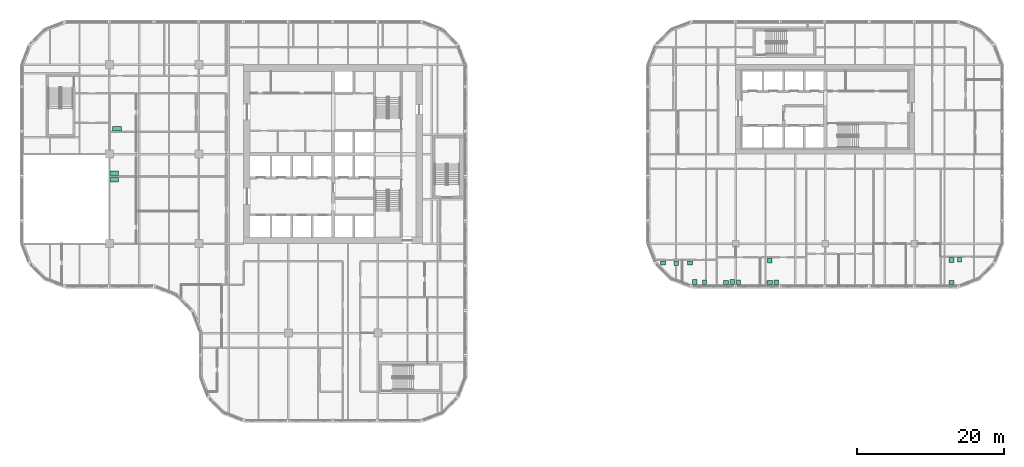
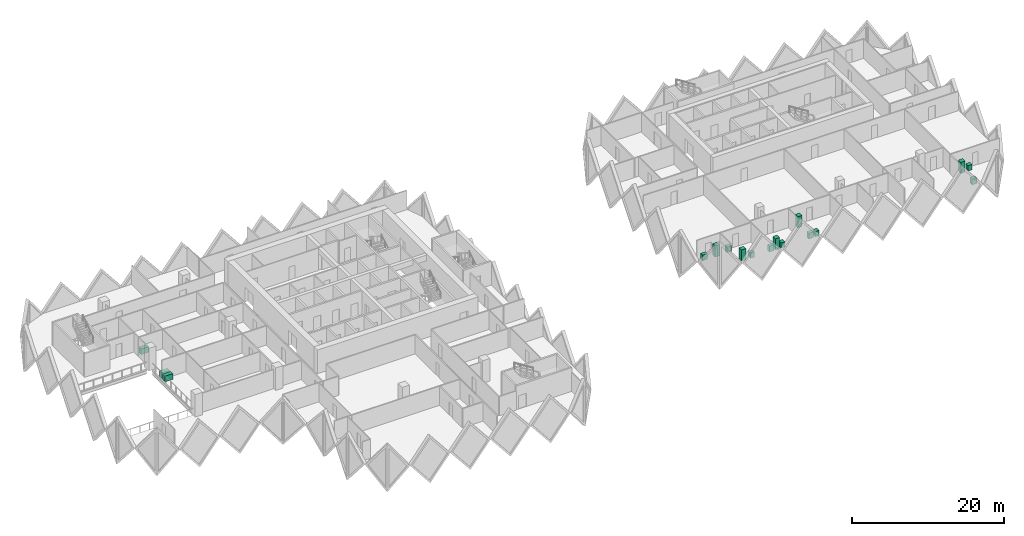
# One storey, part 20 of 20: 9 electric appliances, 8 sanitary terminals.
"""IFC4 building model written with IfcOpenShell, lengths in metres."""

from ifc_helpers import new_model, si_unit, direction, frame, origin, origin_2d, place, context, subcontext, project, spatial, rectangle, extrude, material, type_object, element, save


model = new_model("IFC4")

# Units and contexts
model_context = context("Model", 3, precision=1e-05, world=origin(), true_north=direction((0.0, 1.0)))
body_context = subcontext(model_context, "Body", "Model", "MODEL_VIEW")
ifc_project = project(units=[si_unit("LENGTHUNIT", "METRE"), si_unit("AREAUNIT", "SQUARE_METRE"), si_unit("VOLUMEUNIT", "CUBIC_METRE"), si_unit("PLANEANGLEUNIT", "RADIAN"), si_unit("MASSUNIT", "GRAM", prefix="KILO")], contexts=[model_context])

# Site, building, storey
site_placement = place(None, origin())
site = spatial("IfcSite", under=ifc_project, at=site_placement, CompositionType="ELEMENT")
building_placement = place(site_placement, origin())
building = spatial("IfcBuilding", under=site, at=building_placement, Name="Tessera Gate Towers", CompositionType="ELEMENT")
storey_placement = place(building_placement, frame((0.0, 0.0, 52.39990234375)))
storey = spatial("IfcBuildingStorey", under=building, at=storey_placement, Name="L12", CompositionType="ELEMENT", Elevation=52.39990234375)

# Electric appliances
ifc_material_1 = material(Name="Enamelled steel", Category="steel")
electric_appliance_type_1 = type_object("IfcElectricApplianceType", Name="DISHWASHER 600x600", PredefinedType="DISHWASHER", material=ifc_material_1)
for number, where, z_axis, x_axis, name in (
    (1, (93.35693359375, 19.14990234375, 0.0), (0.0, 0.0, 1.0), (1.0, 0.0, 0.0), "Dishwasher"),
    (2, (97.9970703125, 19.14990234375, 0.0), (0.0, 0.0, 1.0), (1.0, 0.0, 0.0), "Dishwasher"),
    (3, (103.162109375, 19.14990234375, 0.0), (0.0, 0.0, 1.0), (1.0, 0.0, 0.0), "Dishwasher"),
    (4, (128.133056640625, 22.199951171875, 0.0), (0.0, 0.0, 1.0), (1.0, 0.0, 0.0), "Dishwasher"),
):
    element("IfcElectricAppliance", number, at=place(storey_placement, frame(where, z_axis=z_axis, x_axis=x_axis)), inside=storey, type_object=electric_appliance_type_1, Name=name, PredefinedType="DISHWASHER", context=body_context, shape_type="SweptSolid", body=[
        extrude(rectangle(XDim=0.60009765625, YDim=0.60009765625, at=origin_2d()), origin(), (0.0, 0.0, 1.0), 0.85009765625),
    ])

# Sanitary terminals
ifc_material_2 = material(Name="Vitreous china")
sanitary_terminal_type_1 = type_object("IfcSanitaryTerminalType", Name="LABORATORY SINK 1200x600", PredefinedType="SINK", material=ifc_material_2)
for number, where, z_axis, x_axis, name in (
    (5, (12.85009765625, 33.125, 0.000244140625), (0.0, 0.0, 1.0), (1.0, 0.0, 0.0), "Laboratory sink"),
    (6, (12.85009765625, 33.97509765625, 0.000244140625), (0.0, 0.0, 1.0), (1.0, 0.0, 0.0), "Laboratory sink"),
    (7, (13.241943359375, 40.074951171875, 0.000244140625), (0.0, 0.0, 1.0), (1.0, 0.0, 0.0), "Laboratory sink"),
):
    element("IfcSanitaryTerminal", number, at=place(storey_placement, frame(where, z_axis=z_axis, x_axis=x_axis)), inside=storey, type_object=sanitary_terminal_type_1, Name=name, PredefinedType="SINK", context=body_context, shape_type="SweptSolid", body=[
        extrude(rectangle(XDim=1.199951171875, YDim=0.60009765625, at=origin_2d()), origin(), (0.0, 0.0, 1.0), 0.89990234375),
    ])

# Electric appliances
ifc_material_3 = material(Name="Enamelled steel", Category="steel")
electric_appliance_type_2 = type_object("IfcElectricApplianceType", Name="REFRIGERATOR 650x650", PredefinedType="FRIDGE_FREEZER", material=ifc_material_3)
for number, where, z_axis, x_axis, name in (
    (8, (89.487060546875, 21.72509765625, 0.0), (0.0, 0.0, 1.0), (1.0, 0.0, 0.0), "Refrigerator"),
    (9, (92.02197265625, 19.175048828125, 0.0), (0.0, 0.0, 1.0), (1.0, 0.0, 0.0), "Refrigerator"),
    (10, (97.139892578125, 19.175048828125, 0.0), (0.0, 0.0, 1.0), (1.0, 0.0, 0.0), "Refrigerator"),
    (11, (102.2451171875, 22.10009765625, 0.0), (0.0, 0.0, 1.0), (1.0, 0.0, 0.0), "Refrigerator"),
    (12, (127.032958984375, 22.175048828125, 0.0), (0.0, 0.0, 1.0), (1.0, 0.0, 0.0), "Refrigerator"),
):
    element("IfcElectricAppliance", number, at=place(storey_placement, frame(where, z_axis=z_axis, x_axis=x_axis)), inside=storey, type_object=electric_appliance_type_2, Name=name, PredefinedType="FRIDGE_FREEZER", context=body_context, shape_type="SweptSolid", body=[
        extrude(rectangle(XDim=0.64990234375, YDim=0.64990234375, at=origin_2d()), origin(), (0.0, 0.0, 1.0), 1.800048828125),
    ])

# Sanitary terminals
ifc_material_4 = material(Name="Vitreous china")
sanitary_terminal_type_2 = type_object("IfcSanitaryTerminalType", Name="SINK 700x550", PredefinedType="SINK", material=ifc_material_4)
for number, where, z_axis, x_axis, name in (
    (13, (87.673095703125, 21.77490234375, 0.000244140625), (0.0, 0.0, 1.0), (1.0, 0.0, 0.0), "Sink"),
    (14, (91.375, 21.77490234375, 0.000244140625), (0.0, 0.0, 1.0), (1.0, 0.0, 0.0), "Sink"),
    (15, (96.299072265625, 19.125, 0.000244140625), (0.0, 0.0, 1.0), (1.0, 0.0, 0.0), "Sink"),
    (16, (102.260986328125, 19.125, 0.000244140625), (0.0, 0.0, 1.0), (1.0, 0.0, 0.0), "Sink"),
    (17, (127.050048828125, 19.125, 0.000244140625), (0.0, 0.0, 1.0), (1.0, 0.0, 0.0), "Sink"),
):
    element("IfcSanitaryTerminal", number, at=place(storey_placement, frame(where, z_axis=z_axis, x_axis=x_axis)), inside=storey, type_object=sanitary_terminal_type_2, Name=name, PredefinedType="SINK", context=body_context, shape_type="SweptSolid", body=[
        extrude(rectangle(XDim=0.699951171875, YDim=0.550048828125, at=origin_2d()), origin(), (0.0, 0.0, 1.0), 0.89990234375),
    ])

save(model, "model.ifc")
